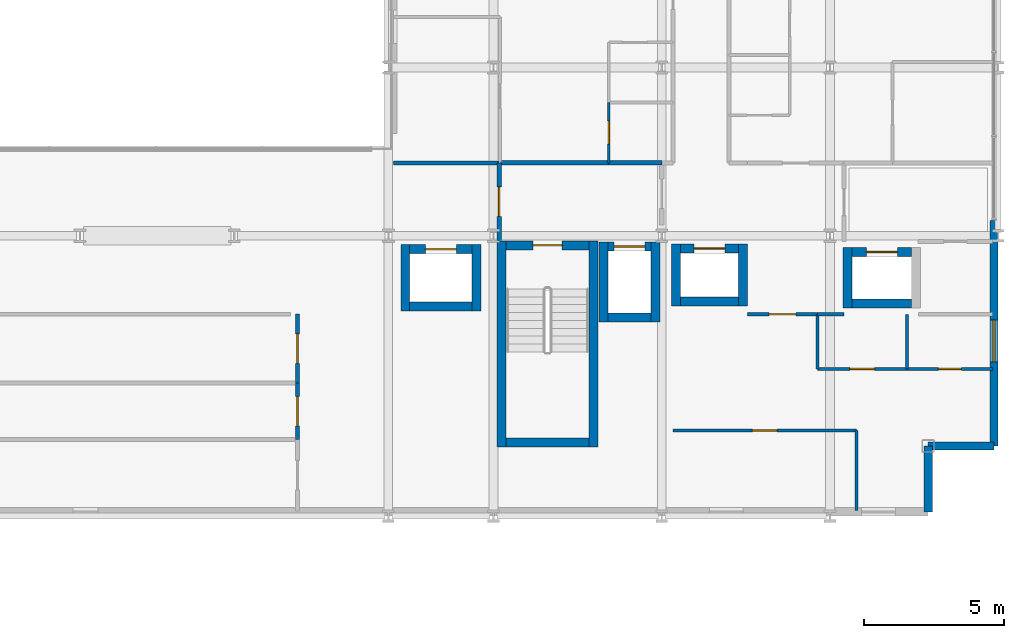
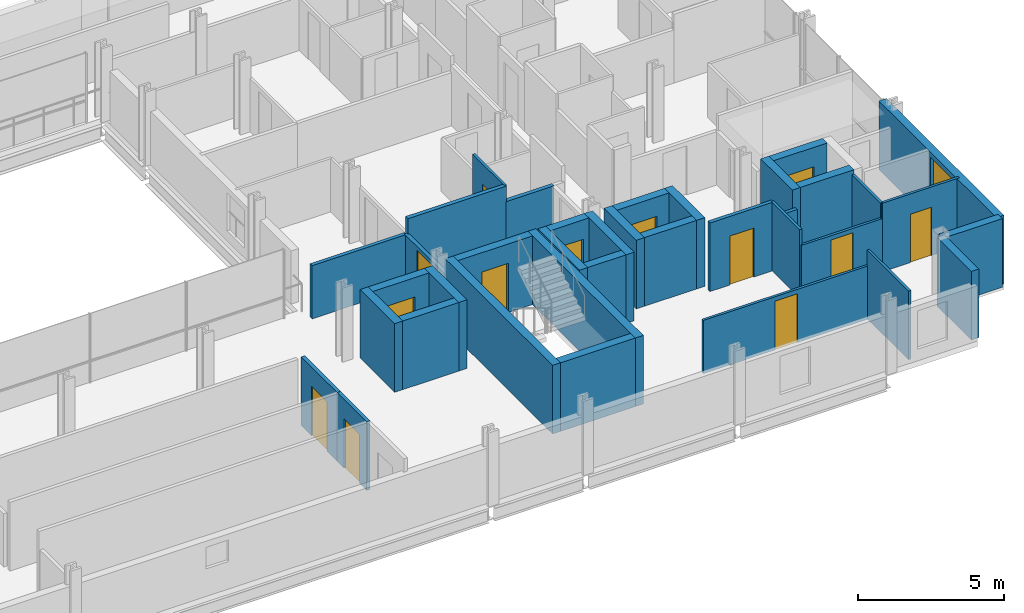
# One storey, part 34 of 40: 37 walls, 13 doors, 1 window, 14 openings.
"""IFC4 building model written with IfcOpenShell, lengths in metres."""

from ifc_helpers import new_model, si_unit, direction, frame, frame_2d, origin, place, context, subcontext, project, spatial, rectangle, extrude, material, layer, layer_set, type_object, element, fill, save


model = new_model("IFC4")

# Units and contexts
model_context = context("Model", 3, precision=1e-05, world=origin(), true_north=direction((0.0, 1.0)))
body_context = subcontext(model_context, "Body", "Model", "MODEL_VIEW")
ifc_project = project(units=[si_unit("LENGTHUNIT", "METRE"), si_unit("AREAUNIT", "SQUARE_METRE"), si_unit("VOLUMEUNIT", "CUBIC_METRE"), si_unit("PLANEANGLEUNIT", "RADIAN"), si_unit("MASSUNIT", "GRAM", prefix="KILO")], contexts=[model_context])

# Site, building, storey
site_placement = place(None, origin())
site = spatial("IfcSite", under=ifc_project, at=site_placement, CompositionType="ELEMENT")
building_placement = place(site_placement, origin())
building = spatial("IfcBuilding", under=site, at=building_placement, Name="Brevholm Reach", CompositionType="ELEMENT")
storey_placement = place(building_placement, frame((0.0, 0.0, 37.300048828125)))
storey = spatial("IfcBuildingStorey", under=building, at=storey_placement, Name="L09", CompositionType="ELEMENT", Elevation=37.300048828125)

# Walls
ifc_material_1 = material(Name="Concrete C60/75", Category="concrete")
ifc_layer_1 = layer(ifc_material_1, 0.320068359375)
ifc_layer_set_1 = layer_set([ifc_layer_1], Name="Concrete C60/75")
wall_type_1 = type_object("IfcWallType", Name="WAL-COR-320", PredefinedType="SHEAR", material=ifc_layer_set_1)
for number, where, z_axis, x_axis, name in (
    (1, (42.2900390625, 2.4599609375, 0.0), (0.0, 0.0, 1.0), (0.0, 1.0, 0.0), "L09 Escape Stair ST-2 Core Wall W"),
    (2, (45.56005859375, 2.4599609375, 0.0), (0.0, 0.0, 1.0), (0.0, 1.0, 0.0), "L09 Escape Stair ST-2 Core Wall E"),
):
    element("IfcWall", number, at=place(storey_placement, frame(where, z_axis=z_axis, x_axis=x_axis)), inside=storey, type_object=wall_type_1, Name=name, PredefinedType="SHEAR", context=body_context, shape_type="SweptSolid", body=[
        extrude(rectangle(XDim=7.360107421875, YDim=0.320068359375, at=frame_2d((3.68017578125, 0.0))), origin(), (0.0, 0.0, 1.0), 2.869873046875),
    ])
wall_1_placement = place(storey_placement, frame((42.449951171875, 2.6201171875, 0.0), z_axis=(0.0, 0.0, 1.0), x_axis=(1.0, 0.0, 0.0)))
element("IfcWall", 3, at=wall_1_placement, inside=storey, type_object=wall_type_1, Name="L09 Escape Stair ST-2 Core Wall S", PredefinedType="SHEAR", context=body_context, shape_type="SweptSolid", body=[
    extrude(rectangle(XDim=2.949951171875, YDim=0.320068359375, at=frame_2d((1.47509765625, 0.0))), origin(), (0.0, 0.0, 1.0), 2.869873046875),
])

# Wall, opening, door
wall_2_placement = place(storey_placement, frame((45.39990234375, 9.659912109375, 0.0), z_axis=(0.0, 0.0, 1.0), x_axis=(-1.0, 0.0, 0.0)))
wall_2 = element("IfcWall", 4, at=wall_2_placement, inside=storey, type_object=wall_type_1, Name="L09 Escape Stair ST-2 Core Wall N", PredefinedType="SHEAR", context=body_context, shape_type="SweptSolid", body=[
    extrude(rectangle(XDim=2.949951171875, YDim=0.320068359375, at=frame_2d((1.47509765625, 0.0))), origin(), (0.0, 0.0, 1.0), 2.869873046875),
])
opening_1_placement = place(wall_2_placement, frame((0.949951171875, 0.0, 0.0)))
opening_1 = element("IfcOpeningElement", 5, at=opening_1_placement, cuts=wall_2, Name="Opening SD-ST-2", PredefinedType="OPENING", context=body_context, shape_type="SweptSolid", body=[
    extrude(rectangle(XDim=1.050048828125, YDim=2.06005859375, at=frame_2d((0.52490234375, 1.030029296875))), frame((0.0, 0.169921875, 0.0), z_axis=(0.0, -1.0, 0.0), x_axis=(1.0, 0.0, 0.0)), (0.0, 0.0, 1.0), 0.340087890625),
])
ifc_material_2 = material(Name="Hardwood-Lipped Steel-Core Fire and Smoke Door", Category="steel")
door_type_1 = type_object("IfcDoorType", Name="DOR-INT-FD60S", OperationType="NOTDEFINED", PredefinedType="DOOR", material=ifc_material_2)
door_1_placement = place(opening_1_placement, origin())
door_1 = element("IfcDoor", 6, at=door_1_placement, inside=storey, type_object=door_type_1, Name="L09 Protected Stair ST-2 Lobby Door", OperationType="SINGLE_SWING_RIGHT", OverallHeight=2.06005859375, OverallWidth=1.050048828125, PredefinedType="DOOR", context=body_context, shape_type="SweptSolid", body=[
    extrude(rectangle(XDim=1.050048828125, YDim=2.06005859375, at=frame_2d((0.52490234375, 1.030029296875))), frame((0.0, 0.02490234375, 0.0), z_axis=(0.0, -1.0, 0.0), x_axis=(1.0, 0.0, 0.0)), (0.0, 0.0, 1.0), 0.050048828125),
])
fill(opening_1, door_1)

# Walls
for number, where, z_axis, x_axis, name in (
    (7, (45.929931640625, 6.919921875, 0.0), (0.0, 0.0, 1.0), (0.0, 1.0, 0.0), "L09 Lift FFL-2 Shaft Wall W"),
    (8, (47.77001953125, 6.919921875, 0.0), (0.0, 0.0, 1.0), (0.0, 1.0, 0.0), "L09 Lift FFL-2 Shaft Wall E"),
):
    element("IfcWall", number, at=place(storey_placement, frame(where, z_axis=z_axis, x_axis=x_axis)), inside=storey, type_object=wall_type_1, Name=name, PredefinedType="SHEAR", context=body_context, shape_type="SweptSolid", body=[
        extrude(rectangle(XDim=2.860107421875, YDim=0.320068359375, at=frame_2d((1.43017578125, 0.0))), origin(), (0.0, 0.0, 1.0), 2.869873046875),
    ])
wall_3_placement = place(storey_placement, frame((46.090087890625, 7.080078125, 0.0), z_axis=(0.0, 0.0, 1.0), x_axis=(1.0, 0.0, 0.0)))
element("IfcWall", 9, at=wall_3_placement, inside=storey, type_object=wall_type_1, Name="L09 Lift FFL-2 Shaft Wall S", PredefinedType="SHEAR", context=body_context, shape_type="SweptSolid", body=[
    extrude(rectangle(XDim=1.52001953125, YDim=0.320068359375, at=frame_2d((0.760009765625, 0.0))), origin(), (0.0, 0.0, 1.0), 2.869873046875),
])

# Wall, opening, door
wall_4_placement = place(storey_placement, frame((46.090087890625, 9.6201171875, 0.0), z_axis=(0.0, 0.0, 1.0), x_axis=(1.0, 0.0, 0.0)))
wall_4 = element("IfcWall", 10, at=wall_4_placement, inside=storey, type_object=wall_type_1, Name="L09 Lift FFL-2 Shaft Wall N", PredefinedType="SHEAR", context=body_context, shape_type="SweptSolid", body=[
    extrude(rectangle(XDim=1.52001953125, YDim=0.320068359375, at=frame_2d((0.760009765625, 0.0))), origin(), (0.0, 0.0, 1.0), 2.869873046875),
])
opening_2_placement = place(wall_4_placement, frame((0.2099609375, 0.0, 0.0)))
opening_2 = element("IfcOpeningElement", 11, at=opening_2_placement, cuts=wall_4, Name="Opening LD-FFL-2", PredefinedType="OPENING", context=body_context, shape_type="SweptSolid", body=[
    extrude(rectangle(XDim=1.10009765625, YDim=2.06005859375, at=frame_2d((0.550048828125, 1.030029296875))), frame((0.0, 0.169921875, 0.0), z_axis=(0.0, -1.0, 0.0), x_axis=(1.0, 0.0, 0.0)), (0.0, 0.0, 1.0), 0.340087890625),
])
ifc_material_3 = material(Name="Brushed Stainless Steel Fire-Rated Sliding Lift Door", Category="steel")
door_type_2 = type_object("IfcDoorType", Name="DOR-LFT-1100", OperationType="NOTDEFINED", PredefinedType="DOOR", material=ifc_material_3)
door_2_placement = place(opening_2_placement, origin())
door_2 = element("IfcDoor", 12, at=door_2_placement, inside=storey, type_object=door_type_2, Name="L09 Lift FFL-2 Sliding Landing Door", OperationType="SLIDING_TO_RIGHT", OverallHeight=2.06005859375, OverallWidth=1.10009765625, PredefinedType="DOOR", context=body_context, shape_type="SweptSolid", body=[
    extrude(rectangle(XDim=1.10009765625, YDim=2.06005859375, at=frame_2d((0.550048828125, 1.030029296875))), frame((0.0, 0.02490234375, 0.0), z_axis=(0.0, -1.0, 0.0), x_axis=(1.0, 0.0, 0.0)), (0.0, 0.0, 1.0), 0.050048828125),
])
fill(opening_2, door_2)

# Walls
for number, where, z_axis, x_axis, name in (
    (13, (48.5048828125, 7.4951171875, 0.0), (0.0, 0.0, 1.0), (0.0, 1.0, 0.0), "L09 Lift PL-L1 Shaft Wall W"),
    (14, (50.89501953125, 7.4951171875, 0.0), (0.0, 0.0, 1.0), (0.0, 1.0, 0.0), "L09 Lift PL-L1 Shaft Wall E"),
):
    element("IfcWall", number, at=place(storey_placement, frame(where, z_axis=z_axis, x_axis=x_axis)), inside=storey, type_object=wall_type_1, Name=name, PredefinedType="SHEAR", context=body_context, shape_type="SweptSolid", body=[
        extrude(rectangle(XDim=2.2099609375, YDim=0.320068359375, at=frame_2d((1.10498046875, 0.0))), origin(), (0.0, 0.0, 1.0), 2.869873046875),
    ])
wall_5_placement = place(storey_placement, frame((48.6650390625, 7.655029296875, 0.0), z_axis=(0.0, 0.0, 1.0), x_axis=(1.0, 0.0, 0.0)))
element("IfcWall", 15, at=wall_5_placement, inside=storey, type_object=wall_type_1, Name="L09 Lift PL-L1 Shaft Wall S", PredefinedType="SHEAR", context=body_context, shape_type="SweptSolid", body=[
    extrude(rectangle(XDim=2.070068359375, YDim=0.320068359375, at=frame_2d((1.03515625, 0.0))), origin(), (0.0, 0.0, 1.0), 2.869873046875),
])

# Wall, opening, door
wall_6_placement = place(storey_placement, frame((48.6650390625, 9.544921875, 0.0), z_axis=(0.0, 0.0, 1.0), x_axis=(1.0, 0.0, 0.0)))
wall_6 = element("IfcWall", 16, at=wall_6_placement, inside=storey, type_object=wall_type_1, Name="L09 Lift PL-L1 Shaft Wall N", PredefinedType="SHEAR", context=body_context, shape_type="SweptSolid", body=[
    extrude(rectangle(XDim=2.070068359375, YDim=0.320068359375, at=frame_2d((1.03515625, 0.0))), origin(), (0.0, 0.0, 1.0), 2.869873046875),
])
opening_3_placement = place(wall_6_placement, frame((0.485107421875, 0.0, 0.0)))
opening_3 = element("IfcOpeningElement", 17, at=opening_3_placement, cuts=wall_6, Name="Opening LD-PL-L1", PredefinedType="OPENING", context=body_context, shape_type="SweptSolid", body=[
    extrude(rectangle(XDim=1.10009765625, YDim=2.06005859375, at=frame_2d((0.550048828125, 1.030029296875))), frame((0.0, 0.169921875, 0.0), z_axis=(0.0, -1.0, 0.0), x_axis=(1.0, 0.0, 0.0)), (0.0, 0.0, 1.0), 0.340087890625),
])
door_3_placement = place(opening_3_placement, origin())
door_3 = element("IfcDoor", 18, at=door_3_placement, inside=storey, type_object=door_type_2, Name="L09 Lift PL-L1 Sliding Landing Door", OperationType="SLIDING_TO_LEFT", OverallHeight=2.06005859375, OverallWidth=1.10009765625, PredefinedType="DOOR", context=body_context, shape_type="SweptSolid", body=[
    extrude(rectangle(XDim=1.10009765625, YDim=2.06005859375, at=frame_2d((0.550048828125, 1.030029296875))), frame((0.0, 0.02490234375, 0.0), z_axis=(0.0, -1.0, 0.0), x_axis=(1.0, 0.0, 0.0)), (0.0, 0.0, 1.0), 0.050048828125),
])
fill(opening_3, door_3)

# Walls
wall_7_placement = place(storey_placement, frame((54.6298828125, 7.419921875, 0.0), z_axis=(0.0, 0.0, 1.0), x_axis=(0.0, 1.0, 0.0)))
element("IfcWall", 19, at=wall_7_placement, inside=storey, type_object=wall_type_1, Name="L09 Lift PL-L2 Shaft Wall W", PredefinedType="SHEAR", context=body_context, shape_type="SweptSolid", body=[
    extrude(rectangle(XDim=2.16015625, YDim=0.320068359375, at=frame_2d((1.080078125, 0.0))), origin(), (0.0, 0.0, 1.0), 2.869873046875),
])
wall_8_placement = place(storey_placement, frame((54.7900390625, 7.580078125, 0.0), z_axis=(0.0, 0.0, 1.0), x_axis=(1.0, 0.0, 0.0)))
element("IfcWall", 20, at=wall_8_placement, inside=storey, type_object=wall_type_1, Name="L09 Lift PL-L2 Shaft Wall S", PredefinedType="SHEAR", context=body_context, shape_type="SweptSolid", body=[
    extrude(rectangle(XDim=2.119873046875, YDim=0.320068359375, at=frame_2d((1.06005859375, 0.0))), origin(), (0.0, 0.0, 1.0), 2.869873046875),
])

# Wall, opening, door
wall_9_placement = place(storey_placement, frame((54.7900390625, 9.419921875, 0.0), z_axis=(0.0, 0.0, 1.0), x_axis=(1.0, 0.0, 0.0)))
wall_9 = element("IfcWall", 21, at=wall_9_placement, inside=storey, type_object=wall_type_1, Name="L09 Lift PL-L2 Shaft Wall N", PredefinedType="SHEAR", context=body_context, shape_type="SweptSolid", body=[
    extrude(rectangle(XDim=2.119873046875, YDim=0.320068359375, at=frame_2d((1.06005859375, 0.0))), origin(), (0.0, 0.0, 1.0), 2.869873046875),
])
opening_4_placement = place(wall_9_placement, frame((0.510009765625, 0.0, 0.0)))
opening_4 = element("IfcOpeningElement", 22, at=opening_4_placement, cuts=wall_9, Name="Opening LD-PL-L2", PredefinedType="OPENING", context=body_context, shape_type="SweptSolid", body=[
    extrude(rectangle(XDim=1.10009765625, YDim=2.06005859375, at=frame_2d((0.550048828125, 1.030029296875))), frame((0.0, 0.169921875, 0.0), z_axis=(0.0, -1.0, 0.0), x_axis=(1.0, 0.0, 0.0)), (0.0, 0.0, 1.0), 0.340087890625),
])
door_4_placement = place(opening_4_placement, origin())
door_4 = element("IfcDoor", 23, at=door_4_placement, inside=storey, type_object=door_type_2, Name="L09 Lift PL-L2 Sliding Landing Door", OperationType="SLIDING_TO_RIGHT", OverallHeight=2.06005859375, OverallWidth=1.10009765625, PredefinedType="DOOR", context=body_context, shape_type="SweptSolid", body=[
    extrude(rectangle(XDim=1.10009765625, YDim=2.06005859375, at=frame_2d((0.550048828125, 1.030029296875))), frame((0.0, 0.02490234375, 0.0), z_axis=(0.0, -1.0, 0.0), x_axis=(1.0, 0.0, 0.0)), (0.0, 0.0, 1.0), 0.050048828125),
])
fill(opening_4, door_4)

# Walls
for number, where, z_axis, x_axis, name in (
    (24, (38.85009765625, 7.320068359375, 0.0), (0.0, 0.0, 1.0), (0.0, 1.0, 0.0), "L09 Lift PL-S1 Shaft Wall W"),
    (25, (41.389892578125, 7.320068359375, 0.0), (0.0, 0.0, 1.0), (0.0, 1.0, 0.0), "L09 Lift PL-S1 Shaft Wall E"),
):
    element("IfcWall", number, at=place(storey_placement, frame(where, z_axis=z_axis, x_axis=x_axis)), inside=storey, type_object=wall_type_1, Name=name, PredefinedType="SHEAR", context=body_context, shape_type="SweptSolid", body=[
        extrude(rectangle(XDim=2.35986328125, YDim=0.320068359375, at=frame_2d((1.179931640625, 0.0))), origin(), (0.0, 0.0, 1.0), 2.869873046875),
    ])
wall_10_placement = place(storey_placement, frame((39.010009765625, 7.47998046875, 0.0), z_axis=(0.0, 0.0, 1.0), x_axis=(1.0, 0.0, 0.0)))
element("IfcWall", 26, at=wall_10_placement, inside=storey, type_object=wall_type_1, Name="L09 Lift PL-S1 Shaft Wall S", PredefinedType="SHEAR", context=body_context, shape_type="SweptSolid", body=[
    extrude(rectangle(XDim=2.219970703125, YDim=0.320068359375, at=frame_2d((1.10986328125, 0.0))), origin(), (0.0, 0.0, 1.0), 2.869873046875),
])

# Wall, opening, door
wall_11_placement = place(storey_placement, frame((39.010009765625, 9.52001953125, 0.0), z_axis=(0.0, 0.0, 1.0), x_axis=(1.0, 0.0, 0.0)))
wall_11 = element("IfcWall", 27, at=wall_11_placement, inside=storey, type_object=wall_type_1, Name="L09 Lift PL-S1 Shaft Wall N", PredefinedType="SHEAR", context=body_context, shape_type="SweptSolid", body=[
    extrude(rectangle(XDim=2.219970703125, YDim=0.320068359375, at=frame_2d((1.10986328125, 0.0))), origin(), (0.0, 0.0, 1.0), 2.869873046875),
])
opening_5_placement = place(wall_11_placement, frame((0.56005859375, 0.0, 0.0)))
opening_5 = element("IfcOpeningElement", 28, at=opening_5_placement, cuts=wall_11, Name="Opening LD-PL-S1", PredefinedType="OPENING", context=body_context, shape_type="SweptSolid", body=[
    extrude(rectangle(XDim=1.10009765625, YDim=2.06005859375, at=frame_2d((0.550048828125, 1.030029296875))), frame((0.0, 0.169921875, 0.0), z_axis=(0.0, -1.0, 0.0), x_axis=(1.0, 0.0, 0.0)), (0.0, 0.0, 1.0), 0.340087890625),
])
door_5_placement = place(opening_5_placement, origin())
door_5 = element("IfcDoor", 29, at=door_5_placement, inside=storey, type_object=door_type_2, Name="L09 Lift PL-S1 Sliding Landing Door", OperationType="SLIDING_TO_LEFT", OverallHeight=2.06005859375, OverallWidth=1.10009765625, PredefinedType="DOOR", context=body_context, shape_type="SweptSolid", body=[
    extrude(rectangle(XDim=1.10009765625, YDim=2.06005859375, at=frame_2d((0.550048828125, 1.030029296875))), frame((0.0, 0.02490234375, 0.0), z_axis=(0.0, -1.0, 0.0), x_axis=(1.0, 0.0, 0.0)), (0.0, 0.0, 1.0), 0.050048828125),
])
fill(opening_5, door_5)

# Walls
ifc_material_4 = material(Name="Concrete C40/50", Category="concrete")
ifc_layer_2 = layer(ifc_material_4, 0.300048828125)
ifc_layer_set_2 = layer_set([ifc_layer_2], Name="Concrete C40/50")
wall_type_2 = type_object("IfcWallType", Name="WAL-EXT-300", PredefinedType="STANDARD", material=ifc_layer_set_2)
for number, where, z_axis, x_axis, name in (
    (30, (57.5, 0.14990234375, 0.0), (0.0, 0.0, 1.0), (0.0, 1.0, 0.0), "L09 Facade Wall WAL-L09-CSE1"),
    (31, (57.5, 2.5, 0.0), (0.0, 0.0, 1.0), (1.0, 0.0, 0.0), "L09 Facade Wall WAL-L09-CSE2"),
):
    element("IfcWall", number, at=place(storey_placement, frame(where, z_axis=z_axis, x_axis=x_axis)), inside=storey, type_object=wall_type_2, Name=name, PredefinedType="STANDARD", context=body_context, shape_type="SweptSolid", body=[
        extrude(rectangle(XDim=2.35009765625, YDim=0.300048828125, at=frame_2d((1.175048828125, 0.0))), origin(), (0.0, 0.0, 1.0), 2.869873046875),
    ])

# Wall, opening, window
wall_12_placement = place(storey_placement, frame((59.85009765625, 2.5, 0.0), z_axis=(0.0, 0.0, 1.0), x_axis=(0.0, 1.0, 0.0)))
wall_12 = element("IfcWall", 32, at=wall_12_placement, inside=storey, type_object=wall_type_2, Name="L09 Facade Wall WAL-L09-E-S", PredefinedType="STANDARD", context=body_context, shape_type="SweptSolid", body=[
    extrude(rectangle(XDim=8.050048828125, YDim=0.300048828125, at=frame_2d((4.02490234375, 0.0))), origin(), (0.0, 0.0, 1.0), 2.869873046875),
])
opening_6_placement = place(wall_12_placement, frame((3.0, 0.0, 0.85009765625)))
opening_6 = element("IfcOpeningElement", 33, at=opening_6_placement, cuts=wall_12, Name="Opening WN-05", PredefinedType="OPENING", context=body_context, shape_type="SweptSolid", body=[
    extrude(rectangle(XDim=1.5, YDim=1.800048828125, at=frame_2d((0.75, 0.89990234375))), frame((0.0, 0.159912109375, 0.0), z_axis=(0.0, -1.0, 0.0), x_axis=(1.0, 0.0, 0.0)), (0.0, 0.0, 1.0), 0.320068359375),
])
ifc_material_5 = material(Name="Dark Anodised Aluminium and Solar-Control IGU Glass", Category="aluminium")
window_type = type_object("IfcWindowType", Name="WIN-RES-1500", PartitioningType="SINGLE_PANEL", PredefinedType="WINDOW", material=ifc_material_5)
window_placement = place(opening_6_placement, origin())
window = element("IfcWindow", 34, at=window_placement, inside=storey, type_object=window_type, Name="L09 Window WIN-L09-ES-1", OverallHeight=1.800048828125, OverallWidth=1.5, PartitioningType="SINGLE_PANEL", PredefinedType="WINDOW", context=body_context, shape_type="SweptSolid", body=[
    extrude(rectangle(XDim=1.5, YDim=1.800048828125, at=frame_2d((0.75, 0.89990234375))), frame((0.0, 0.030029296875, 0.0), z_axis=(0.0, -1.0, 0.0), x_axis=(1.0, 0.0, 0.0)), (0.0, 0.0, 1.0), 0.06005859375),
])
fill(opening_6, window)

# Wall
ifc_material_6 = material(Name="Moisture-Resistant Acoustic Gypsum Stud Partition 100 mm", Category="gypsum")
ifc_layer_3 = layer(ifc_material_6, 0.10009765625)
ifc_layer_set_3 = layer_set([ifc_layer_3], Name="Moisture-Resistant Acoustic Gypsum Stud Partition 100 mm")
wall_type_3 = type_object("IfcWallType", Name="WAL-PRT-100", PredefinedType="PARTITIONING", material=ifc_layer_set_3)
wall_13_placement = place(storey_placement, frame((56.75, 5.25, 0.0), z_axis=(0.0, 0.0, 1.0), x_axis=(0.0, 1.0, 0.0)))
element("IfcWall", 35, at=wall_13_placement, inside=storey, type_object=wall_type_3, Name="L09 Internal Partition 080", PredefinedType="PARTITIONING", context=body_context, shape_type="SweptSolid", body=[
    extrude(rectangle(XDim=1.949951171875, YDim=0.10009765625, at=frame_2d((0.97509765625, 0.0))), origin(), (0.0, 0.0, 1.0), 2.869873046875),
])

# Wall, opening, door
wall_14_placement = place(storey_placement, frame((56.75, 5.25, 0.0), z_axis=(0.0, 0.0, 1.0), x_axis=(1.0, 0.0, 0.0)))
wall_14 = element("IfcWall", 36, at=wall_14_placement, inside=storey, type_object=wall_type_3, Name="L09 Internal Partition 081", PredefinedType="PARTITIONING", context=body_context, shape_type="SweptSolid", body=[
    extrude(rectangle(XDim=3.050048828125, YDim=0.10009765625, at=frame_2d((1.52490234375, 0.0))), origin(), (0.0, 0.0, 1.0), 2.869873046875),
])
opening_7_placement = place(wall_14_placement, frame((1.114990234375, 0.0, 0.0)))
opening_7 = element("IfcOpeningElement", 37, at=opening_7_placement, cuts=wall_14, Name="Opening ID-03", PredefinedType="OPENING", context=body_context, shape_type="SweptSolid", body=[
    extrude(rectangle(XDim=0.820068359375, YDim=2.02001953125, at=frame_2d((0.41015625, 1.010009765625))), frame((0.0, 0.06005859375, 0.0), z_axis=(0.0, -1.0, 0.0), x_axis=(1.0, 0.0, 0.0)), (0.0, 0.0, 1.0), 0.1201171875),
])
ifc_material_7 = material(Name="Moisture-Resistant Painted Timber Internal Bathroom Door", Category="wood")
door_type_3 = type_object("IfcDoorType", Name="DOR-BATH-820", OperationType="NOTDEFINED", PredefinedType="DOOR", material=ifc_material_7)
door_6_placement = place(opening_7_placement, origin())
door_6 = element("IfcDoor", 38, at=door_6_placement, inside=storey, type_object=door_type_3, Name="L09 Internal Door 028", OperationType="SINGLE_SWING_LEFT", OverallHeight=2.02001953125, OverallWidth=0.820068359375, PredefinedType="DOOR", context=body_context, shape_type="SweptSolid", body=[
    extrude(rectangle(XDim=0.820068359375, YDim=2.02001953125, at=frame_2d((0.41015625, 1.010009765625))), frame((0.0, 0.02490234375, 0.0), z_axis=(0.0, -1.0, 0.0), x_axis=(1.0, 0.0, 0.0)), (0.0, 0.0, 1.0), 0.050048828125),
])
fill(opening_7, door_6)

wall_15_placement = place(storey_placement, frame((53.55810546875, 5.25, 0.0), z_axis=(0.0, 0.0, 1.0), x_axis=(1.0, 0.0, 0.0)))
wall_15 = element("IfcWall", 39, at=wall_15_placement, inside=storey, type_object=wall_type_3, Name="L09 Internal Partition 082", PredefinedType="PARTITIONING", context=body_context, shape_type="SweptSolid", body=[
    extrude(rectangle(XDim=3.18798828125, YDim=0.10009765625, at=frame_2d((1.593994140625, 0.0))), origin(), (0.0, 0.0, 1.0), 2.224853515625),
])
opening_8_placement = place(wall_15_placement, frame((1.154052734375, 0.0, 0.0)))
opening_8 = element("IfcOpeningElement", 40, at=opening_8_placement, cuts=wall_15, Name="Opening ID-01", PredefinedType="OPENING", context=body_context, shape_type="SweptSolid", body=[
    extrude(rectangle(XDim=0.8798828125, YDim=2.0400390625, at=frame_2d((0.43994140625, 1.02001953125))), frame((0.0, 0.06005859375, 0.0), z_axis=(0.0, -1.0, 0.0), x_axis=(1.0, 0.0, 0.0)), (0.0, 0.0, 1.0), 0.1201171875),
])
ifc_material_8 = material(Name="Lacquered Ash Solid-Core Acoustic Internal Door", Category="timber")
door_type_4 = type_object("IfcDoorType", Name="DOR-INT-880", OperationType="NOTDEFINED", PredefinedType="DOOR", material=ifc_material_8)
door_7_placement = place(opening_8_placement, origin())
door_7 = element("IfcDoor", 41, at=door_7_placement, inside=storey, type_object=door_type_4, Name="L09 Internal Door 029", OperationType="SINGLE_SWING_RIGHT", OverallHeight=2.0400390625, OverallWidth=0.8798828125, PredefinedType="DOOR", context=body_context, shape_type="SweptSolid", body=[
    extrude(rectangle(XDim=0.8798828125, YDim=2.0400390625, at=frame_2d((0.43994140625, 1.02001953125))), frame((0.0, 0.02490234375, 0.0), z_axis=(0.0, -1.0, 0.0), x_axis=(1.0, 0.0, 0.0)), (0.0, 0.0, 1.0), 0.050048828125),
])
fill(opening_8, door_7)

# Walls
wall_16_placement = place(storey_placement, frame((53.55810546875, 5.25, 0.0), z_axis=(0.0, 0.0, 1.0), x_axis=(0.0, 1.0, 0.0)))
element("IfcWall", 42, at=wall_16_placement, inside=storey, type_object=wall_type_3, Name="L09 Internal Partition 083", PredefinedType="PARTITIONING", context=body_context, shape_type="SweptSolid", body=[
    extrude(rectangle(XDim=1.946044921875, YDim=0.10009765625, at=frame_2d((0.97314453125, 0.0))), origin(), (0.0, 0.0, 1.0), 2.869873046875),
])
wall_17_placement = place(storey_placement, frame((54.949951171875, 0.199951171875, 0.0), z_axis=(0.0, 0.0, 1.0), x_axis=(0.0, 1.0, 0.0)))
element("IfcWall", 43, at=wall_17_placement, inside=storey, type_object=wall_type_3, Name="L09 Internal Partition 084", PredefinedType="PARTITIONING", context=body_context, shape_type="SweptSolid", body=[
    extrude(rectangle(XDim=2.85009765625, YDim=0.10009765625, at=frame_2d((1.425048828125, 0.0))), origin(), (0.0, 0.0, 1.0), 2.869873046875),
])

# Wall, opening, door
wall_18_placement = place(storey_placement, frame((48.39990234375, 3.050048828125, 0.0), z_axis=(0.0, 0.0, 1.0), x_axis=(1.0, 0.0, 0.0)))
wall_18 = element("IfcWall", 44, at=wall_18_placement, inside=storey, type_object=wall_type_3, Name="L09 Internal Partition 085", PredefinedType="PARTITIONING", context=body_context, shape_type="SweptSolid", body=[
    extrude(rectangle(XDim=6.550048828125, YDim=0.10009765625, at=frame_2d((3.27490234375, 0.0))), origin(), (0.0, 0.0, 1.0), 2.224853515625),
])
opening_9_placement = place(wall_18_placement, frame((2.8349609375, 0.0, 0.0)))
opening_9 = element("IfcOpeningElement", 45, at=opening_9_placement, cuts=wall_18, Name="Opening ID-01", PredefinedType="OPENING", context=body_context, shape_type="SweptSolid", body=[
    extrude(rectangle(XDim=0.8798828125, YDim=2.0400390625, at=frame_2d((0.43994140625, 1.02001953125))), frame((0.0, 0.06005859375, 0.0), z_axis=(0.0, -1.0, 0.0), x_axis=(1.0, 0.0, 0.0)), (0.0, 0.0, 1.0), 0.1201171875),
])
door_8_placement = place(opening_9_placement, origin())
door_8 = element("IfcDoor", 46, at=door_8_placement, inside=storey, type_object=door_type_4, Name="L09 Internal Door 030", OperationType="SINGLE_SWING_LEFT", OverallHeight=2.0400390625, OverallWidth=0.8798828125, PredefinedType="DOOR", context=body_context, shape_type="SweptSolid", body=[
    extrude(rectangle(XDim=0.8798828125, YDim=2.0400390625, at=frame_2d((0.43994140625, 1.02001953125))), frame((0.0, 0.02490234375, 0.0), z_axis=(0.0, -1.0, 0.0), x_axis=(1.0, 0.0, 0.0)), (0.0, 0.0, 1.0), 0.050048828125),
])
fill(opening_9, door_8)

wall_19_placement = place(storey_placement, frame((46.112060546875, 12.60400390625, 0.0), z_axis=(0.0, 0.0, 1.0), x_axis=(0.0, 1.0, 0.0)))
wall_19 = element("IfcWall", 47, at=wall_19_placement, inside=storey, type_object=wall_type_3, Name="L09 Internal Partition 125", PredefinedType="PARTITIONING", context=body_context, shape_type="SweptSolid", body=[
    extrude(rectangle(XDim=2.14599609375, YDim=0.10009765625, at=frame_2d((1.072998046875, 0.0))), origin(), (0.0, 0.0, 1.0), 2.869873046875),
])
opening_10_placement = place(wall_19_placement, frame((0.6630859375, 0.0, 0.0)))
opening_10 = element("IfcOpeningElement", 48, at=opening_10_placement, cuts=wall_19, Name="Opening ID-03", PredefinedType="OPENING", context=body_context, shape_type="SweptSolid", body=[
    extrude(rectangle(XDim=0.820068359375, YDim=2.02001953125, at=frame_2d((0.41015625, 1.010009765625))), frame((0.0, 0.06005859375, 0.0), z_axis=(0.0, -1.0, 0.0), x_axis=(1.0, 0.0, 0.0)), (0.0, 0.0, 1.0), 0.1201171875),
])
door_9_placement = place(opening_10_placement, origin())
door_9 = element("IfcDoor", 49, at=door_9_placement, inside=storey, type_object=door_type_3, Name="L09 Internal Door 046", OperationType="SINGLE_SWING_LEFT", OverallHeight=2.02001953125, OverallWidth=0.820068359375, PredefinedType="DOOR", context=body_context, shape_type="SweptSolid", body=[
    extrude(rectangle(XDim=0.820068359375, YDim=2.02001953125, at=frame_2d((0.41015625, 1.010009765625))), frame((0.0, 0.02490234375, 0.0), z_axis=(0.0, -1.0, 0.0), x_axis=(1.0, 0.0, 0.0)), (0.0, 0.0, 1.0), 0.050048828125),
])
fill(opening_10, door_9)

ifc_material_9 = material(Name="Twin-Stud Acoustic Fire-Rated Gypsum Partition 140 mm", Category="gypsum")
ifc_layer_4 = layer(ifc_material_9, 0.139892578125)
ifc_layer_set_4 = layer_set([ifc_layer_4], Name="Twin-Stud Acoustic Fire-Rated Gypsum Partition 140 mm")
wall_type_4 = type_object("IfcWallType", Name="WAL-PRT-140", PredefinedType="PARTITIONING", material=ifc_layer_set_4)
wall_20_placement = place(storey_placement, frame((35.0, 2.729736328125, 0.0), z_axis=(0.0, 0.0, 1.0), x_axis=(0.0, 1.0, 0.0)))
wall_20 = element("IfcWall", 50, at=wall_20_placement, inside=storey, type_object=wall_type_4, Name="L09 Internal Partition 002", PredefinedType="PARTITIONING", context=body_context, shape_type="SweptSolid", body=[
    extrude(rectangle(XDim=2.0224609375, YDim=0.139892578125, at=frame_2d((1.01123046875, 0.0))), origin(), (0.0, 0.0, 1.0), 2.869873046875),
])
opening_11_placement = place(wall_20_placement, frame((0.486328125, 0.0, 0.0)))
opening_11 = element("IfcOpeningElement", 51, at=opening_11_placement, cuts=wall_20, Name="Opening FD-01", PredefinedType="OPENING", context=body_context, shape_type="SweptSolid", body=[
    extrude(rectangle(XDim=1.050048828125, YDim=2.06005859375, at=frame_2d((0.52490234375, 1.030029296875))), frame((0.0, 0.079833984375, 0.0), z_axis=(0.0, -1.0, 0.0), x_axis=(1.0, 0.0, 0.0)), (0.0, 0.0, 1.0), 0.159912109375),
])
door_10_placement = place(opening_11_placement, origin())
door_10 = element("IfcDoor", 52, at=door_10_placement, inside=storey, type_object=door_type_1, Name="L09 Internal Door 002", OperationType="SINGLE_SWING_LEFT", OverallHeight=2.06005859375, OverallWidth=1.050048828125, PredefinedType="DOOR", context=body_context, shape_type="SweptSolid", body=[
    extrude(rectangle(XDim=1.050048828125, YDim=2.06005859375, at=frame_2d((0.52490234375, 1.030029296875))), frame((0.0, 0.02490234375, 0.0), z_axis=(0.0, -1.0, 0.0), x_axis=(1.0, 0.0, 0.0)), (0.0, 0.0, 1.0), 0.050048828125),
])
fill(opening_11, door_10)

wall_21_placement = place(storey_placement, frame((35.0, 4.733642578125, 0.0), z_axis=(0.0, 0.0, 1.0), x_axis=(0.0, 1.0, 0.0)))
wall_21 = element("IfcWall", 53, at=wall_21_placement, inside=storey, type_object=wall_type_4, Name="L09 Internal Partition 003", PredefinedType="PARTITIONING", context=body_context, shape_type="SweptSolid", body=[
    extrude(rectangle(XDim=2.4775390625, YDim=0.139892578125, at=frame_2d((1.23876953125, 0.0))), origin(), (0.0, 0.0, 1.0), 2.869873046875),
])
opening_12_placement = place(wall_21_placement, frame((0.7138671875, 0.0, 0.0)))
opening_12 = element("IfcOpeningElement", 54, at=opening_12_placement, cuts=wall_21, Name="Opening FD-01", PredefinedType="OPENING", context=body_context, shape_type="SweptSolid", body=[
    extrude(rectangle(XDim=1.050048828125, YDim=2.06005859375, at=frame_2d((0.52490234375, 1.030029296875))), frame((0.0, 0.079833984375, 0.0), z_axis=(0.0, -1.0, 0.0), x_axis=(1.0, 0.0, 0.0)), (0.0, 0.0, 1.0), 0.159912109375),
])
door_11_placement = place(opening_12_placement, origin())
door_11 = element("IfcDoor", 55, at=door_11_placement, inside=storey, type_object=door_type_1, Name="L09 Internal Door 003", OperationType="SINGLE_SWING_RIGHT", OverallHeight=2.06005859375, OverallWidth=1.050048828125, PredefinedType="DOOR", context=body_context, shape_type="SweptSolid", body=[
    extrude(rectangle(XDim=1.050048828125, YDim=2.06005859375, at=frame_2d((0.52490234375, 1.030029296875))), frame((0.0, 0.02490234375, 0.0), z_axis=(0.0, -1.0, 0.0), x_axis=(1.0, 0.0, 0.0)), (0.0, 0.0, 1.0), 0.050048828125),
])
fill(opening_12, door_11)

# Wall
wall_22_placement = place(storey_placement, frame((53.546630859375, 7.199951171875, 0.0), z_axis=(0.0, 0.0, 1.0), x_axis=(1.0, 0.0, 0.0)))
element("IfcWall", 56, at=wall_22_placement, inside=storey, type_object=wall_type_4, Name="L09 Internal Partition 009", PredefinedType="PARTITIONING", context=body_context, shape_type="SweptSolid", body=[
    extrude(rectangle(XDim=0.953369140625, YDim=0.139892578125, at=frame_2d((0.4765625, 0.0))), origin(), (0.0, 0.0, 1.0), 2.224853515625),
])

# Wall, opening, door
wall_23_placement = place(storey_placement, frame((51.050048828125, 7.199951171875, 0.0), z_axis=(0.0, 0.0, 1.0), x_axis=(1.0, 0.0, 0.0)))
wall_23 = element("IfcWall", 57, at=wall_23_placement, inside=storey, type_object=wall_type_4, Name="L09 Internal Partition 010", PredefinedType="PARTITIONING", context=body_context, shape_type="SweptSolid", body=[
    extrude(rectangle(XDim=2.51513671875, YDim=0.139892578125, at=frame_2d((1.257568359375, 0.0))), origin(), (0.0, 0.0, 1.0), 2.869873046875),
])
opening_13_placement = place(wall_23_placement, frame((0.78271484375, 0.0, 0.0)))
opening_13 = element("IfcOpeningElement", 58, at=opening_13_placement, cuts=wall_23, Name="Opening ID-30", PredefinedType="OPENING", context=body_context, shape_type="SweptSolid", body=[
    extrude(rectangle(XDim=0.949951171875, YDim=2.050048828125, at=frame_2d((0.47509765625, 1.02490234375))), frame((0.0, 0.079833984375, 0.0), z_axis=(0.0, -1.0, 0.0), x_axis=(1.0, 0.0, 0.0)), (0.0, 0.0, 1.0), 0.159912109375),
])
ifc_material_10 = material(Name="European Oak Veneered Solid-Core Fire Entrance Door", Category="timber")
door_type_5 = type_object("IfcDoorType", Name="DOR-FLT-FD30S", OperationType="NOTDEFINED", PredefinedType="DOOR", material=ifc_material_10)
door_12_placement = place(opening_13_placement, origin())
door_12 = element("IfcDoor", 59, at=door_12_placement, inside=storey, type_object=door_type_5, Name="L09 Internal Door 007", OperationType="SINGLE_SWING_RIGHT", OverallHeight=2.050048828125, OverallWidth=0.949951171875, PredefinedType="DOOR", context=body_context, shape_type="SweptSolid", body=[
    extrude(rectangle(XDim=0.949951171875, YDim=2.050048828125, at=frame_2d((0.47509765625, 1.02490234375))), frame((0.0, 0.02490234375, 0.0), z_axis=(0.0, -1.0, 0.0), x_axis=(1.0, 0.0, 0.0)), (0.0, 0.0, 1.0), 0.050048828125),
])
fill(opening_13, door_12)

# Wall
wall_24_placement = place(storey_placement, frame((38.438720703125, 12.60009765625, 0.0), z_axis=(0.0, 0.0, 1.0), x_axis=(1.0, 0.0, 0.0)))
element("IfcWall", 60, at=wall_24_placement, inside=storey, type_object=wall_type_4, Name="L09 Internal Partition 027", PredefinedType="PARTITIONING", context=body_context, shape_type="SweptSolid", body=[
    extrude(rectangle(XDim=3.75732421875, YDim=0.139892578125, at=frame_2d((1.878662109375, 0.0))), origin(), (0.0, 0.0, 1.0), 2.224853515625),
])

# Wall, opening, door
ifc_material_11 = material(Name="Twin-Frame Fire-Rated Gypsum Board and Mineral Wool 160 mm", Category="gypsum")
ifc_layer_5 = layer(ifc_material_11, 0.159912109375)
ifc_layer_set_5 = layer_set([ifc_layer_5], Name="Twin-Frame Fire-Rated Gypsum Board and Mineral Wool 160 mm")
wall_type_5 = type_object("IfcWallType", Name="WAL-PRT-160", PredefinedType="PARTITIONING", material=ifc_layer_set_5)
wall_25_placement = place(storey_placement, frame((42.199951171875, 9.830078125, 0.0), z_axis=(0.0, 0.0, 1.0), x_axis=(0.0, 1.0, 0.0)))
wall_25 = element("IfcWall", 61, at=wall_25_placement, inside=storey, type_object=wall_type_5, Name="L09 Internal Partition 018", PredefinedType="PARTITIONING", context=body_context, shape_type="SweptSolid", body=[
    extrude(rectangle(XDim=2.77001953125, YDim=0.159912109375, at=frame_2d((1.385009765625, 0.0))), origin(), (0.0, 0.0, 1.0), 2.224853515625),
])
opening_14_placement = place(wall_25_placement, frame((0.860107421875, 0.0, 0.0)))
opening_14 = element("IfcOpeningElement", 62, at=opening_14_placement, cuts=wall_25, Name="Opening FD-01", PredefinedType="OPENING", context=body_context, shape_type="SweptSolid", body=[
    extrude(rectangle(XDim=1.050048828125, YDim=2.06005859375, at=frame_2d((0.52490234375, 1.030029296875))), frame((0.0, 0.08984375, 0.0), z_axis=(0.0, -1.0, 0.0), x_axis=(1.0, 0.0, 0.0)), (0.0, 0.0, 1.0), 0.179931640625),
])
door_13_placement = place(opening_14_placement, origin())
door_13 = element("IfcDoor", 63, at=door_13_placement, inside=storey, type_object=door_type_1, Name="L09 Internal Door 011", OperationType="SINGLE_SWING_RIGHT", OverallHeight=2.06005859375, OverallWidth=1.050048828125, PredefinedType="DOOR", context=body_context, shape_type="SweptSolid", body=[
    extrude(rectangle(XDim=1.050048828125, YDim=2.06005859375, at=frame_2d((0.52490234375, 1.030029296875))), frame((0.0, 0.02490234375, 0.0), z_axis=(0.0, -1.0, 0.0), x_axis=(1.0, 0.0, 0.0)), (0.0, 0.0, 1.0), 0.050048828125),
])
fill(opening_14, door_13)

# Walls
wall_26_placement = place(storey_placement, frame((46.1005859375, 12.60009765625, 0.0), z_axis=(0.0, 0.0, 1.0), x_axis=(1.0, 0.0, 0.0)))
element("IfcWall", 64, at=wall_26_placement, inside=storey, type_object=wall_type_5, Name="L09 Internal Partition 020", PredefinedType="PARTITIONING", context=body_context, shape_type="SweptSolid", body=[
    extrude(rectangle(XDim=1.8994140625, YDim=0.159912109375, at=frame_2d((0.94970703125, 0.0))), origin(), (0.0, 0.0, 1.0), 2.224853515625),
])
wall_27_placement = place(storey_placement, frame((42.2236328125, 12.60009765625, 0.0), z_axis=(0.0, 0.0, 1.0), x_axis=(1.0, 0.0, 0.0)))
element("IfcWall", 65, at=wall_27_placement, inside=storey, type_object=wall_type_5, Name="L09 Internal Partition 021", PredefinedType="PARTITIONING", context=body_context, shape_type="SweptSolid", body=[
    extrude(rectangle(XDim=3.895751953125, YDim=0.159912109375, at=frame_2d((1.94775390625, 0.0))), origin(), (0.0, 0.0, 1.0), 2.869873046875),
])

save(model, "model.ifc")
